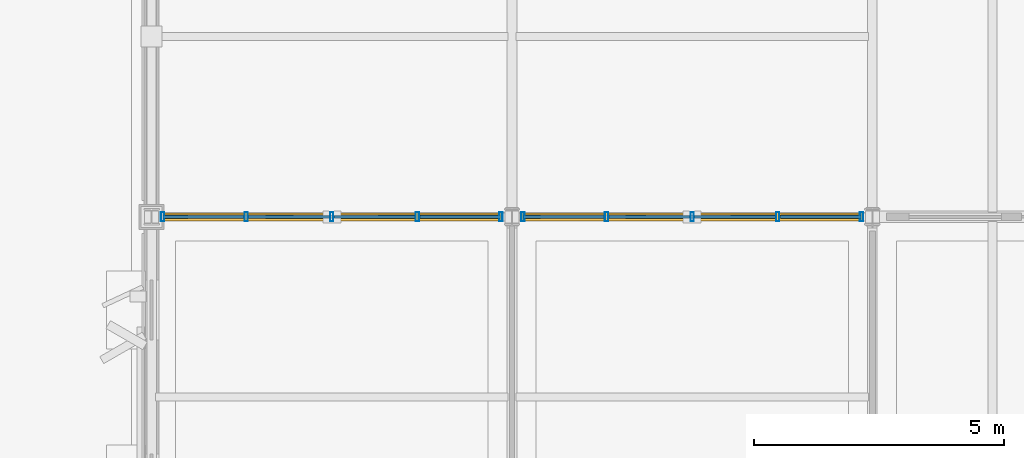
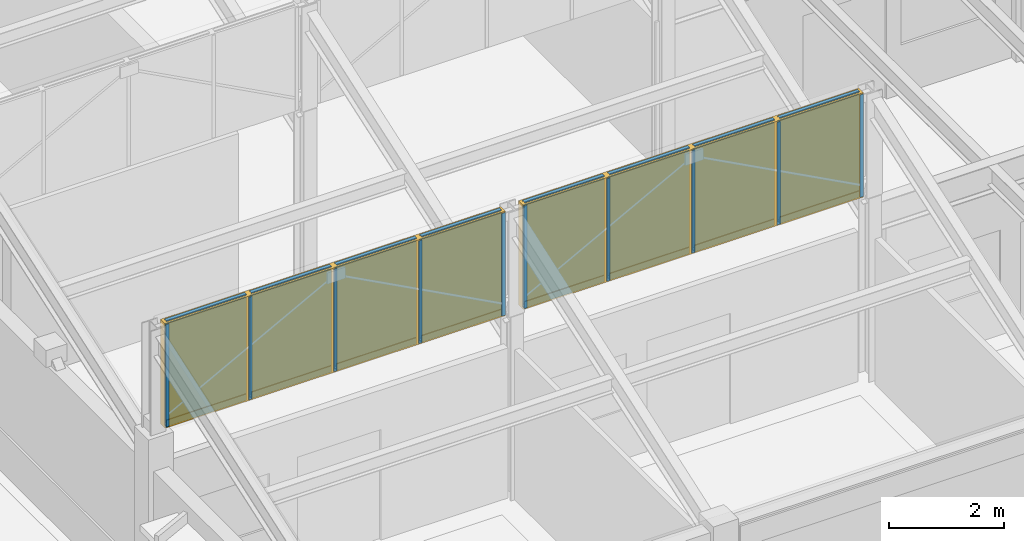
# One storey, part 50 of 82: 26 members, 8 plates, 2 curtain walls.
"""IFC4 building model written with IfcOpenShell, lengths in metres."""

from ifc_helpers import new_model, si_unit, direction, frame, origin, origin_2d, place, context, subcontext, project, spatial, rectangle, hollow_rectangle, extrude, material, layer, layer_set, material_profile, profile_set, type_object, element, aggregate, save


model = new_model("IFC4")

# Units and contexts
model_context = context("Model", 3, precision=1e-05, world=origin(), true_north=direction((0.0, 1.0)))
body_context = subcontext(model_context, "Body", "Model", "MODEL_VIEW")
ifc_project = project(units=[si_unit("LENGTHUNIT", "METRE"), si_unit("AREAUNIT", "SQUARE_METRE"), si_unit("VOLUMEUNIT", "CUBIC_METRE"), si_unit("PLANEANGLEUNIT", "RADIAN"), si_unit("MASSUNIT", "GRAM", prefix="KILO")], contexts=[model_context])

# Member
ifc_material_1 = material(Name="Anodized Aluminium 6063-T6", Category="aluminium")
ifc_material_profile_1 = material_profile(ifc_material_1, hollow_rectangle(XDim=0.06494140625, YDim=0.179931640625, WallThickness=0.00390625, at=origin_2d()), Name="ALU 65x180x4")
ifc_profile_set_1 = profile_set([ifc_material_profile_1], Name="Anodized Aluminium 6063-T6")
member_type_1 = type_object("IfcMemberType", Name="CWM-65X150", PredefinedType="MULLION", material=ifc_profile_set_1)
site_placement = place(None, origin())
building_placement = place(site_placement, origin())
storey_placement = place(building_placement, frame((0.0, 0.0, 14.10009765625)))
member_1_placement = place(storey_placement, frame((122.6201171875, 43.199951171875, 3.919921875), z_axis=(0.0, 0.0, 1.0), x_axis=(1.0, 0.0, 0.0)))
member_1 = element("IfcMember", 1, at=member_1_placement, type_object=member_type_1, Name="Curtain wall mullion CW-CLER-17-05-00", PredefinedType="MULLION", context=body_context, shape_type="SweptSolid", body=[
    extrude(hollow_rectangle(XDim=0.06494140625, YDim=0.179931640625, WallThickness=0.00390625, at=origin_2d()), origin(), (0.0, 0.0, 1.0), 2.179931640625),
])

member_2_placement = place(storey_placement, frame((124.2900390625, 43.199951171875, 3.919921875), z_axis=(0.0, 0.0, 1.0), x_axis=(1.0, 0.0, 0.0)))
member_2 = element("IfcMember", 2, at=member_2_placement, type_object=member_type_1, Name="Curtain wall mullion CW-CLER-17-05-01", PredefinedType="MULLION", context=body_context, shape_type="SweptSolid", body=[
    extrude(hollow_rectangle(XDim=0.06494140625, YDim=0.179931640625, WallThickness=0.00390625, at=origin_2d()), origin(), (0.0, 0.0, 1.0), 2.179931640625),
])

member_3_placement = place(storey_placement, frame((126.0, 43.199951171875, 3.919921875), z_axis=(0.0, 0.0, 1.0), x_axis=(1.0, 0.0, 0.0)))
member_3 = element("IfcMember", 3, at=member_3_placement, type_object=member_type_1, Name="Curtain wall mullion CW-CLER-17-05-02", PredefinedType="MULLION", context=body_context, shape_type="SweptSolid", body=[
    extrude(hollow_rectangle(XDim=0.06494140625, YDim=0.179931640625, WallThickness=0.00390625, at=origin_2d()), origin(), (0.0, 0.0, 1.0), 2.179931640625),
])

member_4_placement = place(storey_placement, frame((127.7099609375, 43.199951171875, 3.919921875), z_axis=(0.0, 0.0, 1.0), x_axis=(1.0, 0.0, 0.0)))
member_4 = element("IfcMember", 4, at=member_4_placement, type_object=member_type_1, Name="Curtain wall mullion CW-CLER-17-05-03", PredefinedType="MULLION", context=body_context, shape_type="SweptSolid", body=[
    extrude(hollow_rectangle(XDim=0.06494140625, YDim=0.179931640625, WallThickness=0.00390625, at=origin_2d()), origin(), (0.0, 0.0, 1.0), 2.179931640625),
])

member_5_placement = place(storey_placement, frame((129.3798828125, 43.199951171875, 3.919921875), z_axis=(0.0, 0.0, 1.0), x_axis=(1.0, 0.0, 0.0)))
member_5 = element("IfcMember", 5, at=member_5_placement, type_object=member_type_1, Name="Curtain wall mullion CW-CLER-17-05-04", PredefinedType="MULLION", context=body_context, shape_type="SweptSolid", body=[
    extrude(hollow_rectangle(XDim=0.06494140625, YDim=0.179931640625, WallThickness=0.00390625, at=origin_2d()), origin(), (0.0, 0.0, 1.0), 2.179931640625),
])

member_6_placement = place(storey_placement, frame((129.820068359375, 43.199951171875, 3.919921875), z_axis=(0.0, 0.0, 1.0), x_axis=(1.0, 0.0, 0.0)))
member_6 = element("IfcMember", 6, at=member_6_placement, type_object=member_type_1, Name="Curtain wall mullion CW-CLER-18-05-00", PredefinedType="MULLION", context=body_context, shape_type="SweptSolid", body=[
    extrude(hollow_rectangle(XDim=0.06494140625, YDim=0.179931640625, WallThickness=0.00390625, at=origin_2d()), origin(), (0.0, 0.0, 1.0), 2.179931640625),
])

member_7_placement = place(storey_placement, frame((131.489990234375, 43.199951171875, 3.919921875), z_axis=(0.0, 0.0, 1.0), x_axis=(1.0, 0.0, 0.0)))
member_7 = element("IfcMember", 7, at=member_7_placement, type_object=member_type_1, Name="Curtain wall mullion CW-CLER-18-05-01", PredefinedType="MULLION", context=body_context, shape_type="SweptSolid", body=[
    extrude(hollow_rectangle(XDim=0.06494140625, YDim=0.179931640625, WallThickness=0.00390625, at=origin_2d()), origin(), (0.0, 0.0, 1.0), 2.179931640625),
])

member_8_placement = place(storey_placement, frame((133.199951171875, 43.199951171875, 3.919921875), z_axis=(0.0, 0.0, 1.0), x_axis=(1.0, 0.0, 0.0)))
member_8 = element("IfcMember", 8, at=member_8_placement, type_object=member_type_1, Name="Curtain wall mullion CW-CLER-18-05-02", PredefinedType="MULLION", context=body_context, shape_type="SweptSolid", body=[
    extrude(hollow_rectangle(XDim=0.06494140625, YDim=0.179931640625, WallThickness=0.00390625, at=origin_2d()), origin(), (0.0, 0.0, 1.0), 2.179931640625),
])

member_9_placement = place(storey_placement, frame((134.909912109375, 43.199951171875, 3.919921875), z_axis=(0.0, 0.0, 1.0), x_axis=(1.0, 0.0, 0.0)))
member_9 = element("IfcMember", 9, at=member_9_placement, type_object=member_type_1, Name="Curtain wall mullion CW-CLER-18-05-03", PredefinedType="MULLION", context=body_context, shape_type="SweptSolid", body=[
    extrude(hollow_rectangle(XDim=0.06494140625, YDim=0.179931640625, WallThickness=0.00390625, at=origin_2d()), origin(), (0.0, 0.0, 1.0), 2.179931640625),
])

member_10_placement = place(storey_placement, frame((136.580078125, 43.199951171875, 3.919921875), z_axis=(0.0, 0.0, 1.0), x_axis=(1.0, 0.0, 0.0)))
member_10 = element("IfcMember", 10, at=member_10_placement, type_object=member_type_1, Name="Curtain wall mullion CW-CLER-18-05-04", PredefinedType="MULLION", context=body_context, shape_type="SweptSolid", body=[
    extrude(hollow_rectangle(XDim=0.06494140625, YDim=0.179931640625, WallThickness=0.00390625, at=origin_2d()), origin(), (0.0, 0.0, 1.0), 2.179931640625),
])

ifc_material_profile_2 = material_profile(ifc_material_1, hollow_rectangle(XDim=0.06494140625, YDim=0.139892578125, WallThickness=0.00390625, at=origin_2d()), Name="ALU 65x140x4")
ifc_profile_set_2 = profile_set([ifc_material_profile_2], Name="Anodized Aluminium 6063-T6")
member_type_2 = type_object("IfcMemberType", Name="CWT-65X120", PredefinedType="USERDEFINED", material=ifc_profile_set_2)
member_11_placement = place(storey_placement, frame((122.6298828125, 43.199951171875, 3.949951171875), z_axis=(1.0, 0.0, 0.0), x_axis=(0.0, 1.0, 0.0)))
member_11 = element("IfcMember", 11, at=member_11_placement, type_object=member_type_2, Name="Curtain wall transom CW-CLER-17-05-1.01", ObjectType="TRANSOM", PredefinedType="USERDEFINED", context=body_context, shape_type="SweptSolid", body=[
    extrude(hollow_rectangle(XDim=0.06494140625, YDim=0.139892578125, WallThickness=0.00390625, at=origin_2d()), origin(), (0.0, 0.0, 1.0), 1.610107421875),
])

member_12_placement = place(storey_placement, frame((124.340087890625, 43.199951171875, 3.949951171875), z_axis=(1.0, 0.0, 0.0), x_axis=(0.0, 1.0, 0.0)))
member_12 = element("IfcMember", 12, at=member_12_placement, type_object=member_type_2, Name="Curtain wall transom CW-CLER-17-05-1.02", ObjectType="TRANSOM", PredefinedType="USERDEFINED", context=body_context, shape_type="SweptSolid", body=[
    extrude(hollow_rectangle(XDim=0.06494140625, YDim=0.139892578125, WallThickness=0.00390625, at=origin_2d()), origin(), (0.0, 0.0, 1.0), 1.60986328125),
])

member_13_placement = place(storey_placement, frame((126.050048828125, 43.199951171875, 3.949951171875), z_axis=(1.0, 0.0, 0.0), x_axis=(0.0, 1.0, 0.0)))
member_13 = element("IfcMember", 13, at=member_13_placement, type_object=member_type_2, Name="Curtain wall transom CW-CLER-17-05-1.03", ObjectType="TRANSOM", PredefinedType="USERDEFINED", context=body_context, shape_type="SweptSolid", body=[
    extrude(hollow_rectangle(XDim=0.06494140625, YDim=0.139892578125, WallThickness=0.00390625, at=origin_2d()), origin(), (0.0, 0.0, 1.0), 1.60986328125),
])

member_14_placement = place(storey_placement, frame((127.760009765625, 43.199951171875, 3.949951171875), z_axis=(1.0, 0.0, 0.0), x_axis=(0.0, 1.0, 0.0)))
member_14 = element("IfcMember", 14, at=member_14_placement, type_object=member_type_2, Name="Curtain wall transom CW-CLER-17-05-1.04", ObjectType="TRANSOM", PredefinedType="USERDEFINED", context=body_context, shape_type="SweptSolid", body=[
    extrude(hollow_rectangle(XDim=0.06494140625, YDim=0.139892578125, WallThickness=0.00390625, at=origin_2d()), origin(), (0.0, 0.0, 1.0), 1.610107421875),
])

member_15_placement = place(storey_placement, frame((122.6298828125, 43.199951171875, 6.06982421875), z_axis=(1.0, 0.0, 0.0), x_axis=(0.0, 1.0, 0.0)))
member_15 = element("IfcMember", 15, at=member_15_placement, type_object=member_type_2, Name="Curtain wall transom CW-CLER-17-05-2.01", ObjectType="TRANSOM", PredefinedType="USERDEFINED", context=body_context, shape_type="SweptSolid", body=[
    extrude(hollow_rectangle(XDim=0.06494140625, YDim=0.139892578125, WallThickness=0.00390625, at=origin_2d()), origin(), (0.0, 0.0, 1.0), 1.610107421875),
])

member_16_placement = place(storey_placement, frame((124.340087890625, 43.199951171875, 6.06982421875), z_axis=(1.0, 0.0, 0.0), x_axis=(0.0, 1.0, 0.0)))
member_16 = element("IfcMember", 16, at=member_16_placement, type_object=member_type_2, Name="Curtain wall transom CW-CLER-17-05-2.02", ObjectType="TRANSOM", PredefinedType="USERDEFINED", context=body_context, shape_type="SweptSolid", body=[
    extrude(hollow_rectangle(XDim=0.06494140625, YDim=0.139892578125, WallThickness=0.00390625, at=origin_2d()), origin(), (0.0, 0.0, 1.0), 1.60986328125),
])

member_17_placement = place(storey_placement, frame((126.050048828125, 43.199951171875, 6.06982421875), z_axis=(1.0, 0.0, 0.0), x_axis=(0.0, 1.0, 0.0)))
member_17 = element("IfcMember", 17, at=member_17_placement, type_object=member_type_2, Name="Curtain wall transom CW-CLER-17-05-2.03", ObjectType="TRANSOM", PredefinedType="USERDEFINED", context=body_context, shape_type="SweptSolid", body=[
    extrude(hollow_rectangle(XDim=0.06494140625, YDim=0.139892578125, WallThickness=0.00390625, at=origin_2d()), origin(), (0.0, 0.0, 1.0), 1.60986328125),
])

member_18_placement = place(storey_placement, frame((127.760009765625, 43.199951171875, 6.06982421875), z_axis=(1.0, 0.0, 0.0), x_axis=(0.0, 1.0, 0.0)))
member_18 = element("IfcMember", 18, at=member_18_placement, type_object=member_type_2, Name="Curtain wall transom CW-CLER-17-05-2.04", ObjectType="TRANSOM", PredefinedType="USERDEFINED", context=body_context, shape_type="SweptSolid", body=[
    extrude(hollow_rectangle(XDim=0.06494140625, YDim=0.139892578125, WallThickness=0.00390625, at=origin_2d()), origin(), (0.0, 0.0, 1.0), 1.610107421875),
])

member_19_placement = place(storey_placement, frame((129.830078125, 43.199951171875, 3.949951171875), z_axis=(1.0, 0.0, 0.0), x_axis=(0.0, 1.0, 0.0)))
member_19 = element("IfcMember", 19, at=member_19_placement, type_object=member_type_2, Name="Curtain wall transom CW-CLER-18-05-1.01", ObjectType="TRANSOM", PredefinedType="USERDEFINED", context=body_context, shape_type="SweptSolid", body=[
    extrude(hollow_rectangle(XDim=0.06494140625, YDim=0.139892578125, WallThickness=0.00390625, at=origin_2d()), origin(), (0.0, 0.0, 1.0), 1.60986328125),
])

member_20_placement = place(storey_placement, frame((131.5400390625, 43.199951171875, 3.949951171875), z_axis=(1.0, 0.0, 0.0), x_axis=(0.0, 1.0, 0.0)))
member_20 = element("IfcMember", 20, at=member_20_placement, type_object=member_type_2, Name="Curtain wall transom CW-CLER-18-05-1.02", ObjectType="TRANSOM", PredefinedType="USERDEFINED", context=body_context, shape_type="SweptSolid", body=[
    extrude(hollow_rectangle(XDim=0.06494140625, YDim=0.139892578125, WallThickness=0.00390625, at=origin_2d()), origin(), (0.0, 0.0, 1.0), 1.60986328125),
])

member_21_placement = place(storey_placement, frame((133.25, 43.199951171875, 3.949951171875), z_axis=(1.0, 0.0, 0.0), x_axis=(0.0, 1.0, 0.0)))
member_21 = element("IfcMember", 21, at=member_21_placement, type_object=member_type_2, Name="Curtain wall transom CW-CLER-18-05-1.03", ObjectType="TRANSOM", PredefinedType="USERDEFINED", context=body_context, shape_type="SweptSolid", body=[
    extrude(hollow_rectangle(XDim=0.06494140625, YDim=0.139892578125, WallThickness=0.00390625, at=origin_2d()), origin(), (0.0, 0.0, 1.0), 1.610107421875),
])

member_22_placement = place(storey_placement, frame((134.9599609375, 43.199951171875, 3.949951171875), z_axis=(1.0, 0.0, 0.0), x_axis=(0.0, 1.0, 0.0)))
member_22 = element("IfcMember", 22, at=member_22_placement, type_object=member_type_2, Name="Curtain wall transom CW-CLER-18-05-1.04", ObjectType="TRANSOM", PredefinedType="USERDEFINED", context=body_context, shape_type="SweptSolid", body=[
    extrude(hollow_rectangle(XDim=0.06494140625, YDim=0.139892578125, WallThickness=0.00390625, at=origin_2d()), origin(), (0.0, 0.0, 1.0), 1.610107421875),
])

member_23_placement = place(storey_placement, frame((129.830078125, 43.199951171875, 6.06982421875), z_axis=(1.0, 0.0, 0.0), x_axis=(0.0, 1.0, 0.0)))
member_23 = element("IfcMember", 23, at=member_23_placement, type_object=member_type_2, Name="Curtain wall transom CW-CLER-18-05-2.01", ObjectType="TRANSOM", PredefinedType="USERDEFINED", context=body_context, shape_type="SweptSolid", body=[
    extrude(hollow_rectangle(XDim=0.06494140625, YDim=0.139892578125, WallThickness=0.00390625, at=origin_2d()), origin(), (0.0, 0.0, 1.0), 1.60986328125),
])

member_24_placement = place(storey_placement, frame((131.5400390625, 43.199951171875, 6.06982421875), z_axis=(1.0, 0.0, 0.0), x_axis=(0.0, 1.0, 0.0)))
member_24 = element("IfcMember", 24, at=member_24_placement, type_object=member_type_2, Name="Curtain wall transom CW-CLER-18-05-2.02", ObjectType="TRANSOM", PredefinedType="USERDEFINED", context=body_context, shape_type="SweptSolid", body=[
    extrude(hollow_rectangle(XDim=0.06494140625, YDim=0.139892578125, WallThickness=0.00390625, at=origin_2d()), origin(), (0.0, 0.0, 1.0), 1.60986328125),
])

member_25_placement = place(storey_placement, frame((133.25, 43.199951171875, 6.06982421875), z_axis=(1.0, 0.0, 0.0), x_axis=(0.0, 1.0, 0.0)))
member_25 = element("IfcMember", 25, at=member_25_placement, type_object=member_type_2, Name="Curtain wall transom CW-CLER-18-05-2.03", ObjectType="TRANSOM", PredefinedType="USERDEFINED", context=body_context, shape_type="SweptSolid", body=[
    extrude(hollow_rectangle(XDim=0.06494140625, YDim=0.139892578125, WallThickness=0.00390625, at=origin_2d()), origin(), (0.0, 0.0, 1.0), 1.610107421875),
])

member_26_placement = place(storey_placement, frame((134.9599609375, 43.199951171875, 6.06982421875), z_axis=(1.0, 0.0, 0.0), x_axis=(0.0, 1.0, 0.0)))
member_26 = element("IfcMember", 26, at=member_26_placement, type_object=member_type_2, Name="Curtain wall transom CW-CLER-18-05-2.04", ObjectType="TRANSOM", PredefinedType="USERDEFINED", context=body_context, shape_type="SweptSolid", body=[
    extrude(hollow_rectangle(XDim=0.06494140625, YDim=0.139892578125, WallThickness=0.00390625, at=origin_2d()), origin(), (0.0, 0.0, 1.0), 1.610107421875),
])

# Plate
ifc_material_2 = material(Name="North-Light Clear Diffusing Glazing", Category="glass")
ifc_layer = layer(ifc_material_2, 0.035888671875)
ifc_layer_set = layer_set([ifc_layer], Name="North-Light Clear Diffusing Glazing")
plate_type = type_object("IfcPlateType", Name="CWP-IGU-CL", PredefinedType="CURTAIN_PANEL", material=ifc_layer_set)
plate_1_placement = place(storey_placement, frame((123.43505859375, 43.199951171875, 3.9599609375), z_axis=(0.0, 0.0, 1.0), x_axis=(1.0, 0.0, 0.0)))
plate_1 = element("IfcPlate", 27, at=plate_1_placement, type_object=plate_type, Name="Curtain wall vision glazing CW-CLER-17-05-01", PredefinedType="CURTAIN_PANEL", context=body_context, shape_type="SweptSolid", body=[
    extrude(rectangle(XDim=1.6201171875, YDim=0.0400390625, at=origin_2d()), origin(), (0.0, 0.0, 1.0), 2.10009765625),
])

plate_2_placement = place(storey_placement, frame((125.14501953125, 43.199951171875, 3.9599609375), z_axis=(0.0, 0.0, 1.0), x_axis=(1.0, 0.0, 0.0)))
plate_2 = element("IfcPlate", 28, at=plate_2_placement, type_object=plate_type, Name="Curtain wall vision glazing CW-CLER-17-05-02", PredefinedType="CURTAIN_PANEL", context=body_context, shape_type="SweptSolid", body=[
    extrude(rectangle(XDim=1.6201171875, YDim=0.0400390625, at=origin_2d()), origin(), (0.0, 0.0, 1.0), 2.10009765625),
])

plate_3_placement = place(storey_placement, frame((126.85498046875, 43.199951171875, 3.9599609375), z_axis=(0.0, 0.0, 1.0), x_axis=(1.0, 0.0, 0.0)))
plate_3 = element("IfcPlate", 29, at=plate_3_placement, type_object=plate_type, Name="Curtain wall vision glazing CW-CLER-17-05-03", PredefinedType="CURTAIN_PANEL", context=body_context, shape_type="SweptSolid", body=[
    extrude(rectangle(XDim=1.6201171875, YDim=0.0400390625, at=origin_2d()), origin(), (0.0, 0.0, 1.0), 2.10009765625),
])

plate_4_placement = place(storey_placement, frame((128.56494140625, 43.199951171875, 3.9599609375), z_axis=(0.0, 0.0, 1.0), x_axis=(1.0, 0.0, 0.0)))
plate_4 = element("IfcPlate", 30, at=plate_4_placement, type_object=plate_type, Name="Curtain wall vision glazing CW-CLER-17-05-04", PredefinedType="CURTAIN_PANEL", context=body_context, shape_type="SweptSolid", body=[
    extrude(rectangle(XDim=1.6201171875, YDim=0.0400390625, at=origin_2d()), origin(), (0.0, 0.0, 1.0), 2.10009765625),
])

plate_5_placement = place(storey_placement, frame((130.635009765625, 43.199951171875, 3.9599609375), z_axis=(0.0, 0.0, 1.0), x_axis=(1.0, 0.0, 0.0)))
plate_5 = element("IfcPlate", 31, at=plate_5_placement, type_object=plate_type, Name="Curtain wall vision glazing CW-CLER-18-05-01", PredefinedType="CURTAIN_PANEL", context=body_context, shape_type="SweptSolid", body=[
    extrude(rectangle(XDim=1.6201171875, YDim=0.0400390625, at=origin_2d()), origin(), (0.0, 0.0, 1.0), 2.10009765625),
])

plate_6_placement = place(storey_placement, frame((132.344970703125, 43.199951171875, 3.9599609375), z_axis=(0.0, 0.0, 1.0), x_axis=(1.0, 0.0, 0.0)))
plate_6 = element("IfcPlate", 32, at=plate_6_placement, type_object=plate_type, Name="Curtain wall vision glazing CW-CLER-18-05-02", PredefinedType="CURTAIN_PANEL", context=body_context, shape_type="SweptSolid", body=[
    extrude(rectangle(XDim=1.6201171875, YDim=0.0400390625, at=origin_2d()), origin(), (0.0, 0.0, 1.0), 2.10009765625),
])

plate_7_placement = place(storey_placement, frame((134.054931640625, 43.199951171875, 3.9599609375), z_axis=(0.0, 0.0, 1.0), x_axis=(1.0, 0.0, 0.0)))
plate_7 = element("IfcPlate", 33, at=plate_7_placement, type_object=plate_type, Name="Curtain wall vision glazing CW-CLER-18-05-03", PredefinedType="CURTAIN_PANEL", context=body_context, shape_type="SweptSolid", body=[
    extrude(rectangle(XDim=1.6201171875, YDim=0.0400390625, at=origin_2d()), origin(), (0.0, 0.0, 1.0), 2.10009765625),
])

plate_8_placement = place(storey_placement, frame((135.764892578125, 43.199951171875, 3.9599609375), z_axis=(0.0, 0.0, 1.0), x_axis=(1.0, 0.0, 0.0)))
plate_8 = element("IfcPlate", 34, at=plate_8_placement, type_object=plate_type, Name="Curtain wall vision glazing CW-CLER-18-05-04", PredefinedType="CURTAIN_PANEL", context=body_context, shape_type="SweptSolid", body=[
    extrude(rectangle(XDim=1.6201171875, YDim=0.0400390625, at=origin_2d()), origin(), (0.0, 0.0, 1.0), 2.10009765625),
])

# Site, building, storey
site = spatial("IfcSite", under=ifc_project, at=site_placement, CompositionType="ELEMENT")
building = spatial("IfcBuilding", under=site, at=building_placement, Name="Sillqori Civic Hall", CompositionType="ELEMENT")
storey = spatial("IfcBuildingStorey", under=building, at=storey_placement, Name="L04", CompositionType="ELEMENT", Elevation=14.10009765625)

# Curtain wall
ifc_material_3 = material(Name="Anodized Aluminium Curtain Wall System", Category="aluminium")
curtain_wall_type = type_object("IfcCurtainWallType", Name="CW-CL-205", PredefinedType="NOTDEFINED", material=ifc_material_3)
curtain_wall_1_placement = place(storey_placement, frame((126.0, 43.199951171875, 3.89990234375), z_axis=(0.0, 0.0, 1.0), x_axis=(1.0, 0.0, 0.0)))
curtain_wall_1 = element("IfcCurtainWall", 35, at=curtain_wall_1_placement, inside=storey, type_object=curtain_wall_type, Name="L04 unitised curtain wall CW-CLER-17-05", PredefinedType="NOTDEFINED", context=body_context, shape_type="SweptSolid", body=[
    extrude(rectangle(XDim=6.840087890625, YDim=0.159912109375, at=origin_2d()), origin(), (0.0, 0.0, 1.0), 2.219970703125),
])

aggregate(curtain_wall_1, [member_1, member_2, member_3, member_4, member_5, member_11, member_12, member_13, member_14, member_15, member_16, member_17, member_18, plate_1, plate_2, plate_3, plate_4])

curtain_wall_2_placement = place(storey_placement, frame((133.199951171875, 43.199951171875, 3.89990234375), z_axis=(0.0, 0.0, 1.0), x_axis=(1.0, 0.0, 0.0)))
curtain_wall_2 = element("IfcCurtainWall", 36, at=curtain_wall_2_placement, inside=storey, type_object=curtain_wall_type, Name="L04 unitised curtain wall CW-CLER-18-05", PredefinedType="NOTDEFINED", context=body_context, shape_type="SweptSolid", body=[
    extrude(rectangle(XDim=6.840087890625, YDim=0.159912109375, at=origin_2d()), origin(), (0.0, 0.0, 1.0), 2.219970703125),
])

aggregate(curtain_wall_2, [member_6, member_7, member_8, member_9, member_10, member_19, member_20, member_21, member_22, member_23, member_24, member_25, member_26, plate_5, plate_6, plate_7, plate_8])

save(model, "model.ifc")
